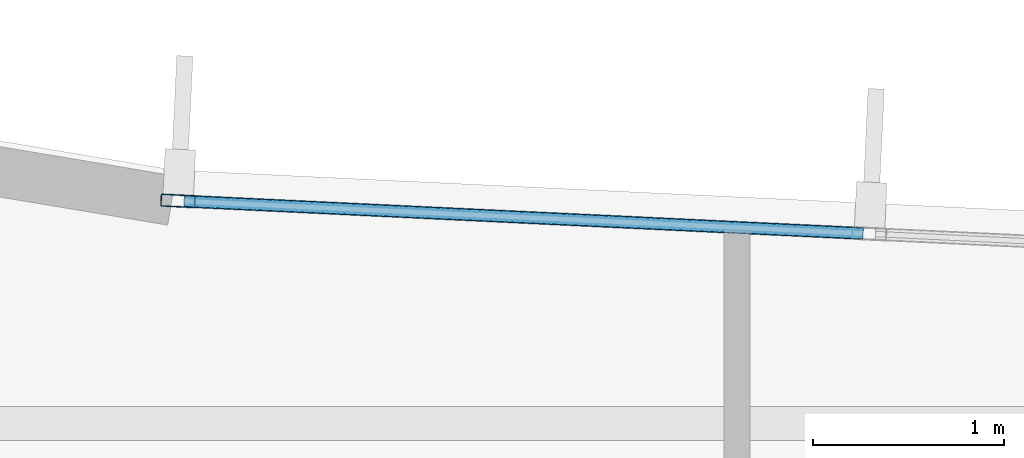
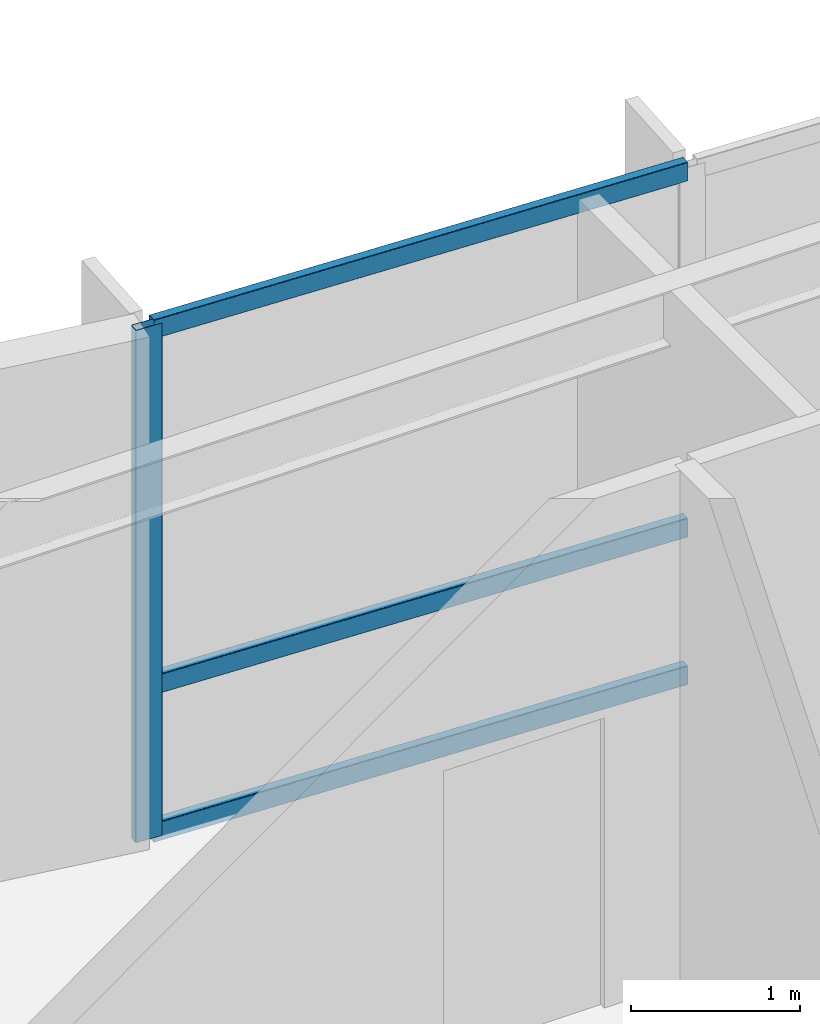
# One storey, part 6 of 16: 4 members, 1 element without a shape of its own.
"""IFC4 building model written with IfcOpenShell, lengths in metres."""

from ifc_helpers import new_model, si_unit, direction, frame, origin, origin_2d, place, context, subcontext, project, spatial, hollow_rectangle, extrude, material, layer, layer_set, material_profile, profile_set, type_object, element, aggregate, save


model = new_model("IFC4")

# Units and contexts
model_context = context("Model", 3, precision=1e-05, world=origin(), true_north=direction((0.0, 1.0)))
body_context = subcontext(model_context, "Body", "Model", "MODEL_VIEW")
ifc_project = project(units=[si_unit("LENGTHUNIT", "METRE"), si_unit("AREAUNIT", "SQUARE_METRE"), si_unit("VOLUMEUNIT", "CUBIC_METRE"), si_unit("PLANEANGLEUNIT", "RADIAN"), si_unit("MASSUNIT", "GRAM", prefix="KILO")], contexts=[model_context])

# Site, building, storey
site_placement = place(None, origin())
site = spatial("IfcSite", under=ifc_project, at=site_placement, CompositionType="ELEMENT")
building_placement = place(site_placement, origin())
building = spatial("IfcBuilding", under=site, at=building_placement, Name="Varnakote Quay Hospital", CompositionType="ELEMENT")
storey_placement = place(building_placement, frame((0.0, 0.0, 260.5)))
storey = spatial("IfcBuildingStorey", under=building, at=storey_placement, Name="L64", CompositionType="ELEMENT", Elevation=260.5)

# Curtain wall, members
ifc_material_1 = material(Name="Anodised aluminium 6063-T6 Bronze", Category="aluminium")
ifc_layer = layer(ifc_material_1, 0.235107421875)
ifc_layer_set = layer_set([ifc_layer], Name="Anodised aluminium 6063-T6 Bronze")
curtain_wall_type = type_object("IfcCurtainWallType", Name="CW-SYS-5", PredefinedType="NOTDEFINED", material=ifc_layer_set)
curtain_wall_placement = place(storey_placement, origin())
curtain_wall = element("IfcCurtainWall", 1, at=curtain_wall_placement, inside=storey, type_object=curtain_wall_type, Name="L64 Unitised Bronze Curtain Wall 2", PredefinedType="NOTDEFINED")
ifc_material_2 = material(Name="Anodised aluminium 6063-T6 Bronze", Category="aluminium")
ifc_material_profile_1 = material_profile(ifc_material_2, hollow_rectangle(XDim=0.06494140625, YDim=0.179931640625, WallThickness=0.00390625, InnerFilletRadius=0.00390625, OuterFilletRadius=0.008056640625, at=origin_2d()), Name="CW-MULL-180x65")
ifc_profile_set_1 = profile_set([ifc_material_profile_1], Name="Anodised aluminium 6063-T6 Bronze")
member_type_1 = type_object("IfcMemberType", Name="CW-MULL-180x65", PredefinedType="MULLION", material=ifc_profile_set_1)
member_1_placement = place(storey_placement, frame((28.71142578125, 29.967041015625, 0.0), z_axis=(0.0, 0.0, 1.0), x_axis=(-0.04749674026, -0.998871392955, 0.0)))
member_1 = element("IfcMember", 2, at=member_1_placement, type_object=member_type_1, Name="-5-L64-2 mullion 4", PredefinedType="MULLION", context=body_context, shape_type="SweptSolid", body=[
    extrude(hollow_rectangle(XDim=0.06494140625, YDim=0.179931640625, WallThickness=0.00390625, InnerFilletRadius=0.00390625, OuterFilletRadius=0.008056640625, at=origin_2d()), origin(), (0.0, 0.0, 1.0), 3.7099609375),
])
ifc_material_3 = material(Name="Anodised aluminium 6063-T6 Bronze", Category="aluminium")
ifc_material_profile_2 = material_profile(ifc_material_3, hollow_rectangle(XDim=0.06494140625, YDim=0.139892578125, WallThickness=0.00390625, InnerFilletRadius=0.00390625, OuterFilletRadius=0.007568359375, at=origin_2d()), Name="CW-TRAN-140x65")
ifc_profile_set_2 = profile_set([ifc_material_profile_2], Name="Anodised aluminium 6063-T6 Bronze")
member_type_2 = type_object("IfcMemberType", Name="CW-TRAN-140x65", PredefinedType="USERDEFINED", material=ifc_profile_set_2)
member_2_placement = place(storey_placement, frame((32.30029296875, 29.79638671875, 0.032470703125), z_axis=(-0.998870308608, 0.047519538949, 0.0), x_axis=(-0.047519538949, -0.998870308608, 0.0)))
member_2 = element("IfcMember", 3, at=member_2_placement, type_object=member_type_2, Name="-5-L64-2 transom 3.1", ObjectType="TRANSOM", PredefinedType="USERDEFINED", context=body_context, shape_type="SweptSolid", body=[
    extrude(hollow_rectangle(XDim=0.06494140625, YDim=0.139892578125, WallThickness=0.00390625, InnerFilletRadius=0.00390625, OuterFilletRadius=0.007568359375, at=origin_2d()), origin(), (0.0, 0.0, 1.0), 3.560302734375),
])
member_3_placement = place(storey_placement, frame((32.30029296875, 29.79638671875, 1.10009765625), z_axis=(-0.998870308608, 0.047519538949, 0.0), x_axis=(-0.047519538949, -0.998870308608, 0.0)))
member_3 = element("IfcMember", 4, at=member_3_placement, type_object=member_type_2, Name="-5-L64-2 transom 3.2", ObjectType="TRANSOM", PredefinedType="USERDEFINED", context=body_context, shape_type="SweptSolid", body=[
    extrude(hollow_rectangle(XDim=0.06494140625, YDim=0.139892578125, WallThickness=0.00390625, InnerFilletRadius=0.00390625, OuterFilletRadius=0.007568359375, at=origin_2d()), origin(), (0.0, 0.0, 1.0), 3.560302734375),
])
member_4_placement = place(storey_placement, frame((32.30029296875, 29.79638671875, 3.677490234375), z_axis=(-0.998870308608, 0.047519538949, 0.0), x_axis=(-0.047519538949, -0.998870308608, 0.0)))
member_4 = element("IfcMember", 5, at=member_4_placement, type_object=member_type_2, Name="-5-L64-2 transom 3.3", ObjectType="TRANSOM", PredefinedType="USERDEFINED", context=body_context, shape_type="SweptSolid", body=[
    extrude(hollow_rectangle(XDim=0.06494140625, YDim=0.139892578125, WallThickness=0.00390625, InnerFilletRadius=0.00390625, OuterFilletRadius=0.007568359375, at=origin_2d()), origin(), (0.0, 0.0, 1.0), 3.560302734375),
])
aggregate(curtain_wall, [member_1, member_2, member_3, member_4])

save(model, "model.ifc")
